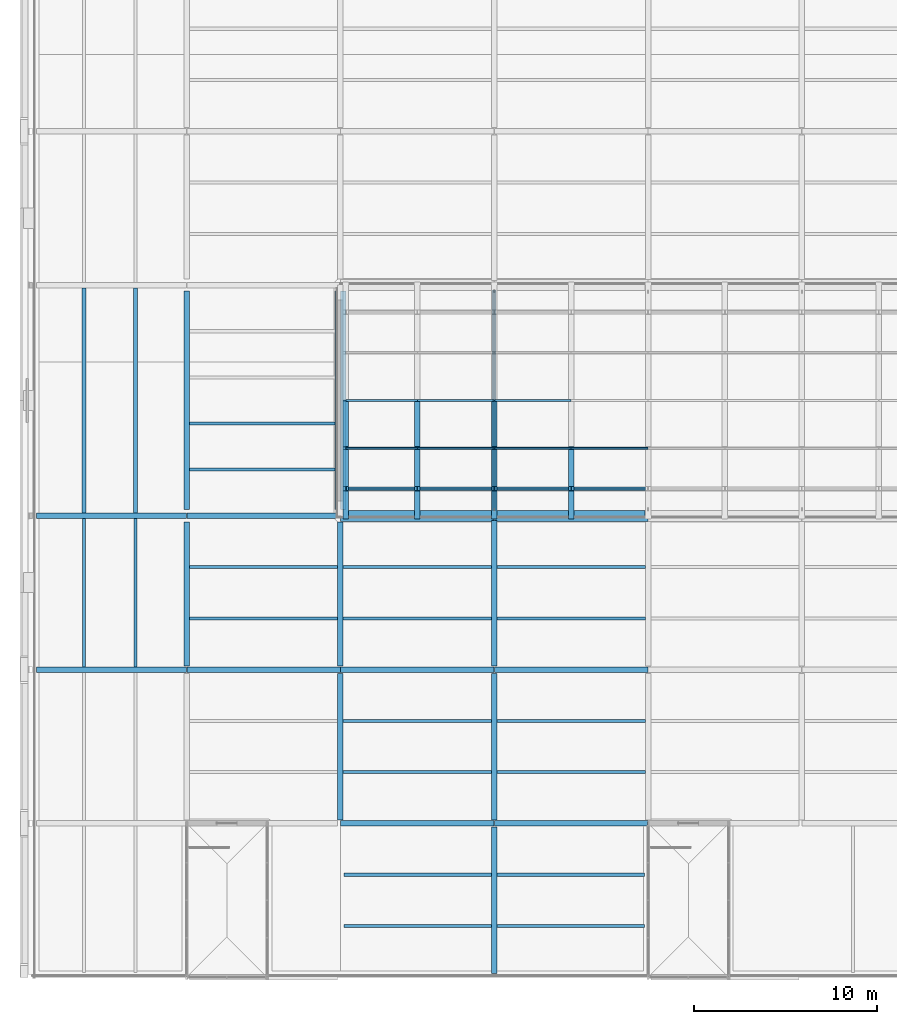
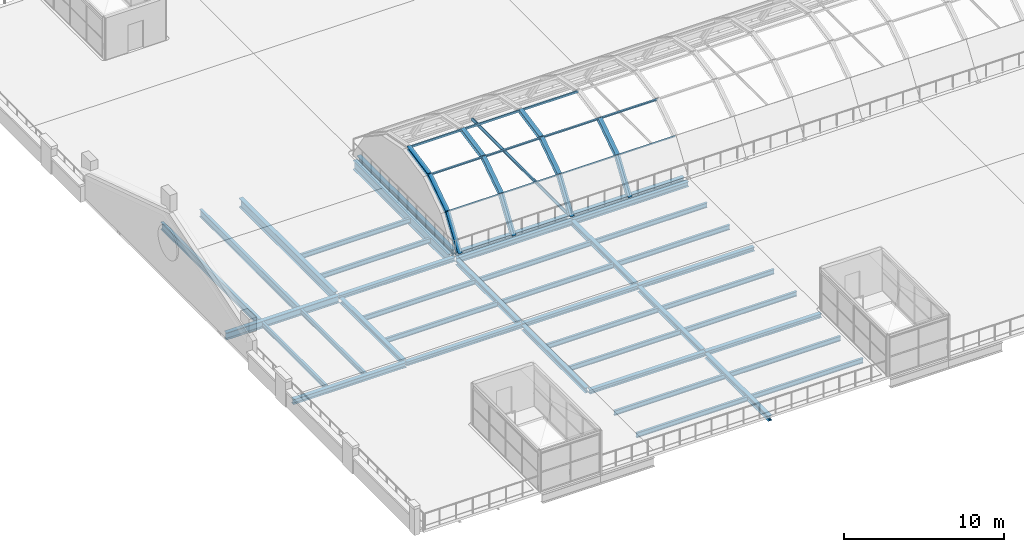
# One storey, part 12 of 58: 41 beams, 23 members.
"""IFC4 building model written with IfcOpenShell, lengths in metres."""

from ifc_helpers import new_model, si_unit, direction, frame, origin, origin_2d, place, context, subcontext, project, spatial, hollow_rectangle, hollow_circle, i_section, extrude, material, material_profile, profile_set, type_object, element, save


model = new_model("IFC4")

# Units and contexts
model_context = context("Model", 3, precision=1e-05, world=origin(), true_north=direction((0.0, 1.0)))
body_context = subcontext(model_context, "Body", "Model", "MODEL_VIEW")
ifc_project = project(units=[si_unit("LENGTHUNIT", "METRE"), si_unit("AREAUNIT", "SQUARE_METRE"), si_unit("VOLUMEUNIT", "CUBIC_METRE"), si_unit("PLANEANGLEUNIT", "RADIAN"), si_unit("MASSUNIT", "GRAM", prefix="KILO")], contexts=[model_context])

# Site, building, storey
site_placement = place(None, origin())
site = spatial("IfcSite", under=ifc_project, at=site_placement, CompositionType="ELEMENT")
building_placement = place(site_placement, origin())
building = spatial("IfcBuilding", under=site, at=building_placement, Name="Galleria Vessillo Department Store", CompositionType="ELEMENT")
storey_placement = place(building_placement, frame((0.0, 0.0, 31.199951171875)))
storey = spatial("IfcBuildingStorey", under=building, at=storey_placement, Name="L06", CompositionType="ELEMENT", Elevation=31.199951171875)

# Beams
ifc_material_1 = material(Name="Steel S355 J2", Category="steel")
ifc_material_profile_1 = material_profile(ifc_material_1, i_section(OverallWidth=0.300048828125, OverallDepth=0.389892578125, WebThickness=0.010986328125, FlangeThickness=0.01904296875, FilletRadius=0.027099609375, at=origin_2d()), Name="HEA 400")
ifc_profile_set_1 = profile_set([ifc_material_profile_1], Name="Steel S355 J2")
beam_type_1 = type_object("IfcBeamType", Name="Floor girder HEA 400", PredefinedType="BEAM", material=ifc_profile_set_1)
beam_1_placement = place(storey_placement, frame((0.2001953125, 16.800048828125, -0.39501953125), z_axis=(1.0, 0.0, 0.0), x_axis=(0.0, 1.0, 0.0)))
element("IfcBeam", 1, at=beam_1_placement, inside=storey, type_object=beam_type_1, Name="S-BM-L06-GI-x16800-200", PredefinedType="BEAM", context=body_context, shape_type="SweptSolid", body=[
    extrude(i_section(OverallWidth=0.300048828125, OverallDepth=0.389892578125, WebThickness=0.010986328125, FlangeThickness=0.01904296875, FilletRadius=0.027099609375, at=origin_2d()), origin(), (0.0, 0.0, 1.0), 8.19287109375),
])
beam_2_placement = place(storey_placement, frame((8.39990234375, 17.000244140625, -0.39501953125), z_axis=(0.0, 1.0, 0.0), x_axis=(-1.0, 0.0, 0.0)))
element("IfcBeam", 2, at=beam_2_placement, inside=storey, type_object=beam_type_1, Name="S-BM-L06-GI-y8400-17000", PredefinedType="BEAM", context=body_context, shape_type="SweptSolid", body=[
    extrude(i_section(OverallWidth=0.300048828125, OverallDepth=0.389892578125, WebThickness=0.010986328125, FlangeThickness=0.01904296875, FilletRadius=0.027099609375, at=origin_2d()), origin(), (0.0, 0.0, 1.0), 7.86572265625),
])
beam_3_placement = place(storey_placement, frame((16.800048828125, 8.60009765625, -0.39501953125), z_axis=(0.0, 1.0, 0.0), x_axis=(-1.0, 0.0, 0.0)))
element("IfcBeam", 3, at=beam_3_placement, inside=storey, type_object=beam_type_1, Name="S-BM-L06-GI-y16800-8600", PredefinedType="BEAM", context=body_context, shape_type="SweptSolid", body=[
    extrude(i_section(OverallWidth=0.300048828125, OverallDepth=0.389892578125, WebThickness=0.010986328125, FlangeThickness=0.01904296875, FilletRadius=0.027099609375, at=origin_2d()), origin(), (0.0, 0.0, 1.0), 7.999755859375),
])
beam_4_placement = place(storey_placement, frame((16.800048828125, 17.000244140625, -0.39501953125), z_axis=(0.0, 1.0, 0.0), x_axis=(-1.0, 0.0, 0.0)))
element("IfcBeam", 4, at=beam_4_placement, inside=storey, type_object=beam_type_1, Name="S-BM-L06-GI-y16800-17000", PredefinedType="BEAM", context=body_context, shape_type="SweptSolid", body=[
    extrude(i_section(OverallWidth=0.300048828125, OverallDepth=0.389892578125, WebThickness=0.010986328125, FlangeThickness=0.01904296875, FilletRadius=0.027099609375, at=origin_2d()), origin(), (0.0, 0.0, 1.0), 7.86572265625),
])
for number, where, z_axis, x_axis, name in (
    (5, (25.199951171875, 0.2001953125, -0.39501953125), (0.0, 1.0, 0.0), (-1.0, 0.0, 0.0), "S-BM-L06-GI-y25200-200"),
    (6, (25.199951171875, 8.60009765625, -0.39501953125), (0.0, 1.0, 0.0), (-1.0, 0.0, 0.0), "S-BM-L06-GI-y25200-8600"),
):
    element("IfcBeam", number, at=place(storey_placement, frame(where, z_axis=z_axis, x_axis=x_axis)), inside=storey, type_object=beam_type_1, Name=name, PredefinedType="BEAM", context=body_context, shape_type="SweptSolid", body=[
        extrude(i_section(OverallWidth=0.300048828125, OverallDepth=0.389892578125, WebThickness=0.010986328125, FlangeThickness=0.01904296875, FilletRadius=0.027099609375, at=origin_2d()), origin(), (0.0, 0.0, 1.0), 7.999755859375),
    ])
beam_5_placement = place(storey_placement, frame((25.199951171875, 17.000244140625, -0.39501953125), z_axis=(0.0, 1.0, 0.0), x_axis=(-1.0, 0.0, 0.0)))
element("IfcBeam", 7, at=beam_5_placement, inside=storey, type_object=beam_type_1, Name="S-BM-L06-GI-y25200-17000", PredefinedType="BEAM", context=body_context, shape_type="SweptSolid", body=[
    extrude(i_section(OverallWidth=0.300048828125, OverallDepth=0.389892578125, WebThickness=0.010986328125, FlangeThickness=0.01904296875, FilletRadius=0.027099609375, at=origin_2d()), origin(), (0.0, 0.0, 1.0), 7.937744140625),
])
ifc_material_2 = material(Name="Steel S355 J2", Category="steel")
ifc_material_profile_2 = material_profile(ifc_material_2, i_section(OverallWidth=0.300048828125, OverallDepth=0.5400390625, WebThickness=0.012451171875, FlangeThickness=0.02392578125, FilletRadius=0.027099609375, at=origin_2d()), Name="HEA 550")
ifc_profile_set_2 = profile_set([ifc_material_profile_2], Name="Steel S355 J2")
beam_type_2 = type_object("IfcBeamType", Name="Floor girder HEA 550", PredefinedType="BEAM", material=ifc_profile_set_2)
beam_6_placement = place(storey_placement, frame((0.2001953125, 25.199951171875, -0.469970703125), z_axis=(1.0, 0.0, 0.0), x_axis=(0.0, 1.0, 0.0)))
element("IfcBeam", 8, at=beam_6_placement, inside=storey, type_object=beam_type_2, Name="S-BM-L06-GI-x25200-200", PredefinedType="BEAM", context=body_context, shape_type="SweptSolid", body=[
    extrude(i_section(OverallWidth=0.300048828125, OverallDepth=0.5400390625, WebThickness=0.012451171875, FlangeThickness=0.02392578125, FilletRadius=0.027099609375, at=origin_2d()), origin(), (0.0, 0.0, 1.0), 8.189208984375),
])
ifc_material_3 = material(Name="Steel S355 J2", Category="steel")
ifc_material_profile_3 = material_profile(ifc_material_3, i_section(OverallWidth=0.300048828125, OverallDepth=0.68994140625, WebThickness=0.014404296875, FlangeThickness=0.027099609375, FilletRadius=0.027099609375, at=origin_2d()), Name="HEA 700")
ifc_profile_set_3 = profile_set([ifc_material_profile_3], Name="Steel S355 J2")
beam_type_3 = type_object("IfcBeamType", Name="Floor girder HEA 700", PredefinedType="BEAM", material=ifc_profile_set_3)
beam_7_placement = place(storey_placement, frame((8.39990234375, 25.5341796875, -0.544921875), z_axis=(0.0, 1.0, 0.0), x_axis=(-1.0, 0.0, 0.0)))
element("IfcBeam", 9, at=beam_7_placement, inside=storey, type_object=beam_type_3, Name="S-BM-L06-GI-y8400-25534", PredefinedType="BEAM", context=body_context, shape_type="SweptSolid", body=[
    extrude(i_section(OverallWidth=0.300048828125, OverallDepth=0.68994140625, WebThickness=0.014404296875, FlangeThickness=0.027099609375, FilletRadius=0.027099609375, at=origin_2d()), origin(), (0.0, 0.0, 1.0), 11.931640625),
])
ifc_material_4 = material(Name="Steel S355 J2", Category="steel")
ifc_material_profile_4 = material_profile(ifc_material_4, i_section(OverallWidth=0.169921875, OverallDepth=0.360107421875, WebThickness=0.008056640625, FlangeThickness=0.0126953125, FilletRadius=0.01806640625, at=origin_2d()), Name="IPE 360")
ifc_profile_set_4 = profile_set([ifc_material_profile_4], Name="Steel S355 J2")
beam_type_4 = type_object("IfcBeamType", Name="Floor joist IPE 360", PredefinedType="JOIST", material=ifc_profile_set_4)
for number, where, z_axis, x_axis, name in (
    (10, (2.800048828125, 16.9501953125, -0.3798828125), (0.0, 1.0, 0.0), (-1.0, 0.0, 0.0), "S-BM-L06-JO-y2800-16950"),
    (11, (5.60009765625, 16.9501953125, -0.3798828125), (0.0, 1.0, 0.0), (-1.0, 0.0, 0.0), "S-BM-L06-JO-y5600-16950"),
):
    element("IfcBeam", number, at=place(storey_placement, frame(where, z_axis=z_axis, x_axis=x_axis)), inside=storey, type_object=beam_type_4, Name=name, PredefinedType="JOIST", context=body_context, shape_type="SweptSolid", body=[
        extrude(i_section(OverallWidth=0.169921875, OverallDepth=0.360107421875, WebThickness=0.008056640625, FlangeThickness=0.0126953125, FilletRadius=0.01806640625, at=origin_2d()), origin(), (0.0, 0.0, 1.0), 8.099609375),
    ])
for number, where, z_axis, x_axis, name in (
    (12, (8.550048828125, 19.60009765625, -0.3798828125), (1.0, 0.0, 0.0), (0.0, 1.0, 0.0), "S-BM-L06-JO-x19600-8550"),
    (13, (8.550048828125, 22.39990234375, -0.3798828125), (1.0, 0.0, 0.0), (0.0, 1.0, 0.0), "S-BM-L06-JO-x22400-8550"),
):
    element("IfcBeam", number, at=place(storey_placement, frame(where, z_axis=z_axis, x_axis=x_axis)), inside=storey, type_object=beam_type_4, Name=name, PredefinedType="JOIST", context=body_context, shape_type="SweptSolid", body=[
        extrude(i_section(OverallWidth=0.169921875, OverallDepth=0.360107421875, WebThickness=0.008056640625, FlangeThickness=0.0126953125, FilletRadius=0.01806640625, at=origin_2d()), origin(), (0.0, 0.0, 1.0), 8.099853515625),
    ])
for number, where, z_axis, x_axis, name in (
    (14, (8.550048828125, 27.719970703125, -0.3798828125), (1.0, 0.0, 0.0), (0.0, 1.0, 0.0), "S-BM-L06-JO-x27720-8550"),
    (15, (8.550048828125, 30.239990234375, -0.3798828125), (1.0, 0.0, 0.0), (0.0, 1.0, 0.0), "S-BM-L06-JO-x30240-8550"),
):
    element("IfcBeam", number, at=place(storey_placement, frame(where, z_axis=z_axis, x_axis=x_axis)), inside=storey, type_object=beam_type_4, Name=name, PredefinedType="JOIST", context=body_context, shape_type="SweptSolid", body=[
        extrude(i_section(OverallWidth=0.169921875, OverallDepth=0.360107421875, WebThickness=0.008056640625, FlangeThickness=0.0126953125, FilletRadius=0.01806640625, at=origin_2d()), origin(), (0.0, 0.0, 1.0), 7.94970703125),
    ])
for number, where, z_axis, x_axis, name in (
    (16, (17.000244140625, 2.800048828125, -0.3798828125), (1.0, 0.0, 0.0), (0.0, 1.0, 0.0), "S-BM-L06-JO-x2800-17000"),
    (17, (17.000244140625, 5.60009765625, -0.3798828125), (1.0, 0.0, 0.0), (0.0, 1.0, 0.0), "S-BM-L06-JO-x5600-17000"),
):
    element("IfcBeam", number, at=place(storey_placement, frame(where, z_axis=z_axis, x_axis=x_axis)), inside=storey, type_object=beam_type_4, Name=name, PredefinedType="JOIST", context=body_context, shape_type="SweptSolid", body=[
        extrude(i_section(OverallWidth=0.169921875, OverallDepth=0.360107421875, WebThickness=0.008056640625, FlangeThickness=0.0126953125, FilletRadius=0.01806640625, at=origin_2d()), origin(), (0.0, 0.0, 1.0), 8.049560546875),
    ])
for number, where, z_axis, x_axis, name in (
    (18, (16.9501953125, 11.199951171875, -0.3798828125), (1.0, 0.0, 0.0), (0.0, 1.0, 0.0), "S-BM-L06-JO-x11200-16950"),
    (19, (16.9501953125, 14.0, -0.3798828125), (1.0, 0.0, 0.0), (0.0, 1.0, 0.0), "S-BM-L06-JO-x14000-16950"),
    (20, (16.9501953125, 19.60009765625, -0.3798828125), (1.0, 0.0, 0.0), (0.0, 1.0, 0.0), "S-BM-L06-JO-x19600-16950"),
    (21, (16.9501953125, 22.39990234375, -0.3798828125), (1.0, 0.0, 0.0), (0.0, 1.0, 0.0), "S-BM-L06-JO-x22400-16950"),
):
    element("IfcBeam", number, at=place(storey_placement, frame(where, z_axis=z_axis, x_axis=x_axis)), inside=storey, type_object=beam_type_4, Name=name, PredefinedType="JOIST", context=body_context, shape_type="SweptSolid", body=[
        extrude(i_section(OverallWidth=0.169921875, OverallDepth=0.360107421875, WebThickness=0.008056640625, FlangeThickness=0.0126953125, FilletRadius=0.01806640625, at=origin_2d()), origin(), (0.0, 0.0, 1.0), 8.099609375),
    ])
for number, where, z_axis, x_axis, name in (
    (22, (25.35009765625, 2.800048828125, -0.3798828125), (1.0, 0.0, 0.0), (0.0, 1.0, 0.0), "S-BM-L06-JO-x2800-25350"),
    (23, (25.35009765625, 5.60009765625, -0.3798828125), (1.0, 0.0, 0.0), (0.0, 1.0, 0.0), "S-BM-L06-JO-x5600-25350"),
):
    element("IfcBeam", number, at=place(storey_placement, frame(where, z_axis=z_axis, x_axis=x_axis)), inside=storey, type_object=beam_type_4, Name=name, PredefinedType="JOIST", context=body_context, shape_type="SweptSolid", body=[
        extrude(i_section(OverallWidth=0.169921875, OverallDepth=0.360107421875, WebThickness=0.008056640625, FlangeThickness=0.0126953125, FilletRadius=0.01806640625, at=origin_2d()), origin(), (0.0, 0.0, 1.0), 8.0498046875),
    ])
for number, where, z_axis, x_axis, name in (
    (24, (25.35009765625, 11.199951171875, -0.3798828125), (1.0, 0.0, 0.0), (0.0, 1.0, 0.0), "S-BM-L06-JO-x11200-25350"),
    (25, (25.35009765625, 14.0, -0.3798828125), (1.0, 0.0, 0.0), (0.0, 1.0, 0.0), "S-BM-L06-JO-x14000-25350"),
    (26, (25.35009765625, 19.60009765625, -0.3798828125), (1.0, 0.0, 0.0), (0.0, 1.0, 0.0), "S-BM-L06-JO-x19600-25350"),
    (27, (25.35009765625, 22.39990234375, -0.3798828125), (1.0, 0.0, 0.0), (0.0, 1.0, 0.0), "S-BM-L06-JO-x22400-25350"),
):
    element("IfcBeam", number, at=place(storey_placement, frame(where, z_axis=z_axis, x_axis=x_axis)), inside=storey, type_object=beam_type_4, Name=name, PredefinedType="JOIST", context=body_context, shape_type="SweptSolid", body=[
        extrude(i_section(OverallWidth=0.169921875, OverallDepth=0.360107421875, WebThickness=0.008056640625, FlangeThickness=0.0126953125, FilletRadius=0.01806640625, at=origin_2d()), origin(), (0.0, 0.0, 1.0), 8.099853515625),
    ])
ifc_material_5 = material(Name="Steel S355 J2", Category="steel")
ifc_material_profile_5 = material_profile(ifc_material_5, i_section(OverallWidth=0.2099609375, OverallDepth=0.550048828125, WebThickness=0.010986328125, FlangeThickness=0.01708984375, FilletRadius=0.02392578125, at=origin_2d()), Name="IPE 550")
ifc_profile_set_5 = profile_set([ifc_material_profile_5], Name="Steel S355 J2")
beam_type_5 = type_object("IfcBeamType", Name="Floor joist IPE 550", PredefinedType="JOIST", material=ifc_profile_set_5)
for number, where, z_axis, x_axis, name in (
    (28, (2.800048828125, 25.35009765625, -0.474853515625), (0.0, 1.0, 0.0), (-1.0, 0.0, 0.0), "S-BM-L06-JO-y2800-25350"),
    (29, (5.60009765625, 25.35009765625, -0.474853515625), (0.0, 1.0, 0.0), (-1.0, 0.0, 0.0), "S-BM-L06-JO-y5600-25350"),
):
    element("IfcBeam", number, at=place(storey_placement, frame(where, z_axis=z_axis, x_axis=x_axis)), inside=storey, type_object=beam_type_5, Name=name, PredefinedType="JOIST", context=body_context, shape_type="SweptSolid", body=[
        extrude(i_section(OverallWidth=0.2099609375, OverallDepth=0.550048828125, WebThickness=0.010986328125, FlangeThickness=0.01708984375, FilletRadius=0.02392578125, at=origin_2d()), origin(), (0.0, 0.0, 1.0), 12.2998046875),
    ])
ifc_material_6 = material(Name="Steel S355 J2", Category="steel")
ifc_material_profile_6 = material_profile(ifc_material_6, i_section(OverallWidth=0.300048828125, OverallDepth=0.31005859375, WebThickness=0.009033203125, FlangeThickness=0.015380859375, FilletRadius=0.027099609375, at=origin_2d()), Name="HEA 320")
ifc_profile_set_6 = profile_set([ifc_material_profile_6], Name="Steel S355 J2")
beam_type_6 = type_object("IfcBeamType", Name="Floor tie girder HEA 320", PredefinedType="BEAM", material=ifc_profile_set_6)
for number, where, z_axis, x_axis, name in (
    (30, (16.806884765625, 8.39990234375, -0.35498046875), (1.0, 0.0, 0.0), (0.0, 1.0, 0.0), "S-BM-L06-TI-x8400-16807"),
    (31, (25.206787109375, 8.39990234375, -0.35498046875), (1.0, 0.0, 0.0), (0.0, 1.0, 0.0), "S-BM-L06-TI-x8400-25207"),
    (32, (8.406982421875, 16.800048828125, -0.35498046875), (1.0, 0.0, 0.0), (0.0, 1.0, 0.0), "S-BM-L06-TI-x16800-8407"),
    (33, (16.806884765625, 16.800048828125, -0.35498046875), (1.0, 0.0, 0.0), (0.0, 1.0, 0.0), "S-BM-L06-TI-x16800-16807"),
    (34, (25.206787109375, 16.800048828125, -0.35498046875), (1.0, 0.0, 0.0), (0.0, 1.0, 0.0), "S-BM-L06-TI-x16800-25207"),
):
    element("IfcBeam", number, at=place(storey_placement, frame(where, z_axis=z_axis, x_axis=x_axis)), inside=storey, type_object=beam_type_6, Name=name, PredefinedType="BEAM", context=body_context, shape_type="SweptSolid", body=[
        extrude(i_section(OverallWidth=0.300048828125, OverallDepth=0.31005859375, WebThickness=0.009033203125, FlangeThickness=0.015380859375, FilletRadius=0.027099609375, at=origin_2d()), origin(), (0.0, 0.0, 1.0), 8.38623046875),
    ])
beam_8_placement = place(storey_placement, frame((8.41064453125, 25.199951171875, -0.35498046875), z_axis=(1.0, 0.0, 0.0), x_axis=(0.0, 1.0, 0.0)))
element("IfcBeam", 35, at=beam_8_placement, inside=storey, type_object=beam_type_6, Name="S-BM-L06-TI-x25200-8411", PredefinedType="BEAM", context=body_context, shape_type="SweptSolid", body=[
    extrude(i_section(OverallWidth=0.300048828125, OverallDepth=0.31005859375, WebThickness=0.009033203125, FlangeThickness=0.015380859375, FilletRadius=0.027099609375, at=origin_2d()), origin(), (0.0, 0.0, 1.0), 8.378662109375),
])
ifc_material_7 = material(Name="Steel S355 J2", Category="steel")
ifc_material_profile_7 = material_profile(ifc_material_7, i_section(OverallWidth=0.300048828125, OverallDepth=0.389892578125, WebThickness=0.010986328125, FlangeThickness=0.01904296875, FilletRadius=0.027099609375, at=origin_2d()), Name="HEA 400")
ifc_profile_set_7 = profile_set([ifc_material_profile_7], Name="Steel S355 J2")
beam_type_7 = type_object("IfcBeamType", Name="Trimmer beam HEA 400", PredefinedType="BEAM", material=ifc_profile_set_7)
beam_9_placement = place(storey_placement, frame((16.810546875, 25.050048828125, -0.39501953125), z_axis=(1.0, 0.0, 0.0), x_axis=(0.0, 1.0, 0.0)))
element("IfcBeam", 36, at=beam_9_placement, inside=storey, type_object=beam_type_7, Name="S-BM-L06-TR-x25050-16811", PredefinedType="BEAM", context=body_context, shape_type="SweptSolid", body=[
    extrude(i_section(OverallWidth=0.300048828125, OverallDepth=0.389892578125, WebThickness=0.010986328125, FlangeThickness=0.01904296875, FilletRadius=0.027099609375, at=origin_2d()), origin(), (0.0, 0.0, 1.0), 8.37890625),
])
beam_10_placement = place(storey_placement, frame((25.210693359375, 25.050048828125, -0.39501953125), z_axis=(1.0, 0.0, 0.0), x_axis=(0.0, 1.0, 0.0)))
element("IfcBeam", 37, at=beam_10_placement, inside=storey, type_object=beam_type_7, Name="S-BM-L06-TR-x25050-25211", PredefinedType="BEAM", context=body_context, shape_type="SweptSolid", body=[
    extrude(i_section(OverallWidth=0.300048828125, OverallDepth=0.389892578125, WebThickness=0.010986328125, FlangeThickness=0.01904296875, FilletRadius=0.027099609375, at=origin_2d()), origin(), (0.0, 0.0, 1.0), 8.378662109375),
])
ifc_material_8 = material(Name="Steel S355 J2", Category="steel")
ifc_material_profile_8 = material_profile(ifc_material_8, i_section(OverallWidth=0.300048828125, OverallDepth=0.68994140625, WebThickness=0.014404296875, FlangeThickness=0.027099609375, FilletRadius=0.027099609375, at=origin_2d()), Name="HEA 700")
ifc_profile_set_8 = profile_set([ifc_material_profile_8], Name="Steel S355 J2")
beam_type_8 = type_object("IfcBeamType", Name="Trimmer beam HEA 700", PredefinedType="BEAM", material=ifc_profile_set_8)
beam_11_placement = place(storey_placement, frame((16.64990234375, 25.5341796875, -0.544921875), z_axis=(0.0, 1.0, 0.0), x_axis=(-1.0, 0.0, 0.0)))
element("IfcBeam", 38, at=beam_11_placement, inside=storey, type_object=beam_type_8, Name="S-BM-L06-TR-y16650-25534", PredefinedType="BEAM", context=body_context, shape_type="SweptSolid", body=[
    extrude(i_section(OverallWidth=0.300048828125, OverallDepth=0.68994140625, WebThickness=0.014404296875, FlangeThickness=0.027099609375, FilletRadius=0.027099609375, at=origin_2d()), origin(), (0.0, 0.0, 1.0), 11.931640625),
])
ifc_material_9 = material(Name="Steel S355 J2", Category="steel")
ifc_material_profile_9 = material_profile(ifc_material_9, i_section(OverallWidth=0.300048828125, OverallDepth=0.39990234375, WebThickness=0.013427734375, FlangeThickness=0.02392578125, FilletRadius=0.027099609375, at=origin_2d()), Name="HEB 400")
ifc_profile_set_9 = profile_set([ifc_material_profile_9], Name="Steel S355 J2")
beam_type_9 = type_object("IfcBeamType", Name="Tympanum sill beam HEB 400", PredefinedType="BEAM", material=ifc_profile_set_9)
beam_12_placement = place(storey_placement, frame((16.949951171875, 25.5341796875, -0.14990234375), z_axis=(0.0, 1.0, 0.0), x_axis=(-1.0, 0.0, 0.0)))
element("IfcBeam", 39, at=beam_12_placement, inside=storey, type_object=beam_type_9, Name="S-TS-W", PredefinedType="BEAM", context=body_context, shape_type="SweptSolid", body=[
    extrude(i_section(OverallWidth=0.300048828125, OverallDepth=0.39990234375, WebThickness=0.013427734375, FlangeThickness=0.02392578125, FilletRadius=0.027099609375, at=origin_2d()), origin(), (0.0, 0.0, 1.0), 11.931640625),
])

# Members
ifc_material_10 = material(Name="Steel S355 J2", Category="steel")
ifc_material_profile_10 = material_profile(ifc_material_10, hollow_rectangle(XDim=0.10009765625, YDim=0.14990234375, WallThickness=0.008056640625, at=origin_2d()), Name="RHS 150x100x8")
ifc_profile_set_10 = profile_set([ifc_material_profile_10], Name="Steel S355 J2")
member_type_1 = type_object("IfcMemberType", Name="Vault purlin RHS 150x100x8", PredefinedType="PURLIN", material=ifc_profile_set_10)
member_1_placement = place(storey_placement, frame((17.104248046875, 26.6806640625, 2.207763671875), z_axis=(1.0, 0.0, 0.0), x_axis=(0.0, 0.708077368705, 0.70613485959)))
element("IfcMember", 40, at=member_1_placement, inside=storey, type_object=member_type_1, Name="S-VP-1-01", PredefinedType="PURLIN", context=body_context, shape_type="SweptSolid", body=[
    extrude(hollow_rectangle(XDim=0.10009765625, YDim=0.14990234375, WallThickness=0.008056640625, at=origin_2d()), origin(), (0.0, 0.0, 1.0), 3.8916015625),
])
for number, where, z_axis, x_axis, name in (
    (41, (21.004150390625, 26.6806640625, 2.207763671875), (1.0, 0.0, 0.0), (0.0, 0.708077368705, 0.70613485959), "S-VP-1-02"),
    (42, (25.2041015625, 26.6806640625, 2.207763671875), (1.0, 0.0, 0.0), (0.0, 0.708077368705, 0.70613485959), "S-VP-1-03"),
):
    element("IfcMember", number, at=place(storey_placement, frame(where, z_axis=z_axis, x_axis=x_axis)), inside=storey, type_object=member_type_1, Name=name, PredefinedType="PURLIN", context=body_context, shape_type="SweptSolid", body=[
        extrude(hollow_rectangle(XDim=0.10009765625, YDim=0.14990234375, WallThickness=0.008056640625, at=origin_2d()), origin(), (0.0, 0.0, 1.0), 4.191650390625),
    ])
member_2_placement = place(storey_placement, frame((29.404052734375, 26.6806640625, 2.207763671875), z_axis=(1.0, 0.0, 0.0), x_axis=(0.0, 0.708077368705, 0.70613485959)))
element("IfcMember", 43, at=member_2_placement, inside=storey, type_object=member_type_1, Name="S-VP-1-04", PredefinedType="PURLIN", context=body_context, shape_type="SweptSolid", body=[
    extrude(hollow_rectangle(XDim=0.10009765625, YDim=0.14990234375, WallThickness=0.008056640625, at=origin_2d()), origin(), (0.0, 0.0, 1.0), 4.19189453125),
])
member_3_placement = place(storey_placement, frame((17.104248046875, 28.892578125, 3.682373046875), z_axis=(1.0, 0.0, 0.0), x_axis=(0.0, 0.924144726715, 0.38204256842)))
element("IfcMember", 44, at=member_3_placement, inside=storey, type_object=member_type_1, Name="S-VP-2-01", PredefinedType="PURLIN", context=body_context, shape_type="SweptSolid", body=[
    extrude(hollow_rectangle(XDim=0.10009765625, YDim=0.14990234375, WallThickness=0.008056640625, at=origin_2d()), origin(), (0.0, 0.0, 1.0), 3.8916015625),
])
for number, where, z_axis, x_axis, name in (
    (45, (21.004150390625, 28.892578125, 3.682373046875), (1.0, 0.0, 0.0), (0.0, 0.924144726715, 0.38204256842), "S-VP-2-02"),
    (46, (25.2041015625, 28.892578125, 3.682373046875), (1.0, 0.0, 0.0), (0.0, 0.924144726715, 0.38204256842), "S-VP-2-03"),
):
    element("IfcMember", number, at=place(storey_placement, frame(where, z_axis=z_axis, x_axis=x_axis)), inside=storey, type_object=member_type_1, Name=name, PredefinedType="PURLIN", context=body_context, shape_type="SweptSolid", body=[
        extrude(hollow_rectangle(XDim=0.10009765625, YDim=0.14990234375, WallThickness=0.008056640625, at=origin_2d()), origin(), (0.0, 0.0, 1.0), 4.191650390625),
    ])
member_4_placement = place(storey_placement, frame((29.404052734375, 28.892578125, 3.682373046875), z_axis=(1.0, 0.0, 0.0), x_axis=(0.0, 0.924144726715, 0.38204256842)))
element("IfcMember", 47, at=member_4_placement, inside=storey, type_object=member_type_1, Name="S-VP-2-04", PredefinedType="PURLIN", context=body_context, shape_type="SweptSolid", body=[
    extrude(hollow_rectangle(XDim=0.10009765625, YDim=0.14990234375, WallThickness=0.008056640625, at=origin_2d()), origin(), (0.0, 0.0, 1.0), 4.19189453125),
])
member_5_placement = place(storey_placement, frame((17.104248046875, 31.5, 4.199951171875), z_axis=(1.0, 0.0, 0.0), x_axis=(0.0, 1.0, 0.0)))
element("IfcMember", 48, at=member_5_placement, inside=storey, type_object=member_type_1, Name="S-VP-3-01", PredefinedType="PURLIN", context=body_context, shape_type="SweptSolid", body=[
    extrude(hollow_rectangle(XDim=0.10009765625, YDim=0.14990234375, WallThickness=0.008056640625, at=origin_2d()), origin(), (0.0, 0.0, 1.0), 3.8916015625),
])
for number, where, z_axis, x_axis, name in (
    (49, (21.004150390625, 31.5, 4.199951171875), (1.0, 0.0, 0.0), (0.0, 1.0, 0.0), "S-VP-3-02"),
    (50, (25.2041015625, 31.5, 4.199951171875), (1.0, 0.0, 0.0), (0.0, 1.0, 0.0), "S-VP-3-03"),
):
    element("IfcMember", number, at=place(storey_placement, frame(where, z_axis=z_axis, x_axis=x_axis)), inside=storey, type_object=member_type_1, Name=name, PredefinedType="PURLIN", context=body_context, shape_type="SweptSolid", body=[
        extrude(hollow_rectangle(XDim=0.10009765625, YDim=0.14990234375, WallThickness=0.008056640625, at=origin_2d()), origin(), (0.0, 0.0, 1.0), 4.191650390625),
    ])
ifc_material_11 = material(Name="Steel S355 J2", Category="steel")
ifc_material_profile_11 = material_profile(ifc_material_11, i_section(OverallWidth=0.300048828125, OverallDepth=0.2900390625, WebThickness=0.008544921875, FlangeThickness=0.013916015625, FilletRadius=0.027099609375, at=origin_2d()), Name="HEA 300")
ifc_profile_set_11 = profile_set([ifc_material_profile_11], Name="Steel S355 J2")
member_type_2 = type_object("IfcMemberType", Name="Vault rib HEA 300", PredefinedType="RAFTER", material=ifc_profile_set_11)
member_6_placement = place(storey_placement, frame((17.10009765625, 25.145751953125, -0.080810546875), z_axis=(0.0, 0.557008391095, 0.830506864661), x_axis=(-1.0, 0.0, 0.0)))
element("IfcMember", 51, at=member_6_placement, inside=storey, type_object=member_type_2, Name="S-VR-01-1", PredefinedType="RAFTER", context=body_context, shape_type="SweptSolid", body=[
    extrude(i_section(OverallWidth=0.300048828125, OverallDepth=0.2900390625, WebThickness=0.008544921875, FlangeThickness=0.013916015625, FilletRadius=0.027099609375, at=origin_2d()), origin(), (0.0, 0.0, 1.0), 2.755615234375),
])
member_7_placement = place(storey_placement, frame((17.10009765625, 26.6806640625, 2.207763671875), z_axis=(0.0, 0.832050294338, 0.554700196225), x_axis=(-1.0, 0.0, 0.0)))
element("IfcMember", 52, at=member_7_placement, inside=storey, type_object=member_type_2, Name="S-VR-01-2", PredefinedType="RAFTER", context=body_context, shape_type="SweptSolid", body=[
    extrude(i_section(OverallWidth=0.300048828125, OverallDepth=0.2900390625, WebThickness=0.008544921875, FlangeThickness=0.013916015625, FilletRadius=0.027099609375, at=origin_2d()), origin(), (0.0, 0.0, 1.0), 2.658447265625),
])
member_8_placement = place(storey_placement, frame((17.10009765625, 28.892578125, 3.682373046875), z_axis=(0.0, 0.980862245521, 0.194702992557), x_axis=(-1.0, 0.0, 0.0)))
element("IfcMember", 53, at=member_8_placement, inside=storey, type_object=member_type_2, Name="S-VR-01-3", PredefinedType="RAFTER", context=body_context, shape_type="SweptSolid", body=[
    extrude(i_section(OverallWidth=0.300048828125, OverallDepth=0.2900390625, WebThickness=0.008544921875, FlangeThickness=0.013916015625, FilletRadius=0.027099609375, at=origin_2d()), origin(), (0.0, 0.0, 1.0), 2.658203125),
])
member_9_placement = place(storey_placement, frame((21.0, 25.145751953125, -0.080810546875), z_axis=(0.0, 0.557008391095, 0.830506864661), x_axis=(-1.0, 0.0, 0.0)))
element("IfcMember", 54, at=member_9_placement, inside=storey, type_object=member_type_2, Name="S-VR-02-1", PredefinedType="RAFTER", context=body_context, shape_type="SweptSolid", body=[
    extrude(i_section(OverallWidth=0.300048828125, OverallDepth=0.2900390625, WebThickness=0.008544921875, FlangeThickness=0.013916015625, FilletRadius=0.027099609375, at=origin_2d()), origin(), (0.0, 0.0, 1.0), 2.755615234375),
])
member_10_placement = place(storey_placement, frame((21.0, 26.6806640625, 2.207763671875), z_axis=(0.0, 0.832050294338, 0.554700196225), x_axis=(-1.0, 0.0, 0.0)))
element("IfcMember", 55, at=member_10_placement, inside=storey, type_object=member_type_2, Name="S-VR-02-2", PredefinedType="RAFTER", context=body_context, shape_type="SweptSolid", body=[
    extrude(i_section(OverallWidth=0.300048828125, OverallDepth=0.2900390625, WebThickness=0.008544921875, FlangeThickness=0.013916015625, FilletRadius=0.027099609375, at=origin_2d()), origin(), (0.0, 0.0, 1.0), 2.658447265625),
])
member_11_placement = place(storey_placement, frame((21.0, 28.892578125, 3.682373046875), z_axis=(0.0, 0.980862245521, 0.194702992557), x_axis=(-1.0, 0.0, 0.0)))
element("IfcMember", 56, at=member_11_placement, inside=storey, type_object=member_type_2, Name="S-VR-02-3", PredefinedType="RAFTER", context=body_context, shape_type="SweptSolid", body=[
    extrude(i_section(OverallWidth=0.300048828125, OverallDepth=0.2900390625, WebThickness=0.008544921875, FlangeThickness=0.013916015625, FilletRadius=0.027099609375, at=origin_2d()), origin(), (0.0, 0.0, 1.0), 2.658203125),
])
member_12_placement = place(storey_placement, frame((25.199951171875, 25.145751953125, -0.080810546875), z_axis=(0.0, 0.557008391095, 0.830506864661), x_axis=(-1.0, 0.0, 0.0)))
element("IfcMember", 57, at=member_12_placement, inside=storey, type_object=member_type_2, Name="S-VR-03-1", PredefinedType="RAFTER", context=body_context, shape_type="SweptSolid", body=[
    extrude(i_section(OverallWidth=0.300048828125, OverallDepth=0.2900390625, WebThickness=0.008544921875, FlangeThickness=0.013916015625, FilletRadius=0.027099609375, at=origin_2d()), origin(), (0.0, 0.0, 1.0), 2.755615234375),
])
member_13_placement = place(storey_placement, frame((25.199951171875, 26.6806640625, 2.207763671875), z_axis=(0.0, 0.832050294338, 0.554700196225), x_axis=(-1.0, 0.0, 0.0)))
element("IfcMember", 58, at=member_13_placement, inside=storey, type_object=member_type_2, Name="S-VR-03-2", PredefinedType="RAFTER", context=body_context, shape_type="SweptSolid", body=[
    extrude(i_section(OverallWidth=0.300048828125, OverallDepth=0.2900390625, WebThickness=0.008544921875, FlangeThickness=0.013916015625, FilletRadius=0.027099609375, at=origin_2d()), origin(), (0.0, 0.0, 1.0), 2.658447265625),
])
member_14_placement = place(storey_placement, frame((25.199951171875, 28.892578125, 3.682373046875), z_axis=(0.0, 0.980862245521, 0.194702992557), x_axis=(-1.0, 0.0, 0.0)))
element("IfcMember", 59, at=member_14_placement, inside=storey, type_object=member_type_2, Name="S-VR-03-3", PredefinedType="RAFTER", context=body_context, shape_type="SweptSolid", body=[
    extrude(i_section(OverallWidth=0.300048828125, OverallDepth=0.2900390625, WebThickness=0.008544921875, FlangeThickness=0.013916015625, FilletRadius=0.027099609375, at=origin_2d()), origin(), (0.0, 0.0, 1.0), 2.658203125),
])
member_15_placement = place(storey_placement, frame((29.39990234375, 25.145751953125, -0.080810546875), z_axis=(0.0, 0.557008391095, 0.830506864661), x_axis=(-1.0, 0.0, 0.0)))
element("IfcMember", 60, at=member_15_placement, inside=storey, type_object=member_type_2, Name="S-VR-04-1", PredefinedType="RAFTER", context=body_context, shape_type="SweptSolid", body=[
    extrude(i_section(OverallWidth=0.300048828125, OverallDepth=0.2900390625, WebThickness=0.008544921875, FlangeThickness=0.013916015625, FilletRadius=0.027099609375, at=origin_2d()), origin(), (0.0, 0.0, 1.0), 2.755615234375),
])
member_16_placement = place(storey_placement, frame((29.39990234375, 26.6806640625, 2.207763671875), z_axis=(0.0, 0.832050294338, 0.554700196225), x_axis=(-1.0, 0.0, 0.0)))
element("IfcMember", 61, at=member_16_placement, inside=storey, type_object=member_type_2, Name="S-VR-04-2", PredefinedType="RAFTER", context=body_context, shape_type="SweptSolid", body=[
    extrude(i_section(OverallWidth=0.300048828125, OverallDepth=0.2900390625, WebThickness=0.008544921875, FlangeThickness=0.013916015625, FilletRadius=0.027099609375, at=origin_2d()), origin(), (0.0, 0.0, 1.0), 2.658447265625),
])

# Beams
ifc_material_12 = material(Name="Steel S355 J2", Category="steel")
ifc_material_profile_12 = material_profile(ifc_material_12, i_section(OverallWidth=0.300048828125, OverallDepth=0.300048828125, WebThickness=0.010986328125, FlangeThickness=0.01904296875, FilletRadius=0.027099609375, at=origin_2d()), Name="HEB 300")
ifc_profile_set_12 = profile_set([ifc_material_profile_12], Name="Steel S355 J2")
beam_type_10 = type_object("IfcBeamType", Name="Vault springer beam HEB 300", PredefinedType="BEAM", material=ifc_profile_set_12)
for number, where, z_axis, x_axis, name in (
    (62, (16.95263671875, 25.35009765625, -0.14990234375), (1.0, 0.0, 0.0), (0.0, 1.0, 0.0), "S-VS-S-01"),
    (63, (25.35302734375, 25.35009765625, -0.14990234375), (1.0, 0.0, 0.0), (0.0, 1.0, 0.0), "S-VS-S-02"),
):
    element("IfcBeam", number, at=place(storey_placement, frame(where, z_axis=z_axis, x_axis=x_axis)), inside=storey, type_object=beam_type_10, Name=name, PredefinedType="BEAM", context=body_context, shape_type="SweptSolid", body=[
        extrude(i_section(OverallWidth=0.300048828125, OverallDepth=0.300048828125, WebThickness=0.010986328125, FlangeThickness=0.01904296875, FilletRadius=0.027099609375, at=origin_2d()), origin(), (0.0, 0.0, 1.0), 8.09423828125),
    ])

# Member
ifc_material_13 = material(Name="Steel S355 J2", Category="steel")
ifc_material_profile_13 = material_profile(ifc_material_13, hollow_circle(Radius=0.109619140625, WallThickness=0.010009765625, at=origin_2d()), Name="CHS 219.1x10")
ifc_profile_set_13 = profile_set([ifc_material_profile_13], Name="Steel S355 J2")
member_type_3 = type_object("IfcMemberType", Name="Vault tie rod CHS 219.1x10", PredefinedType="BRACE", material=ifc_profile_set_13)
member_17_placement = place(storey_placement, frame((25.199951171875, 25.462158203125, -0.14990234375), z_axis=(0.0, 1.0, 0.0), x_axis=(-1.0, 0.0, 0.0)))
element("IfcMember", 64, at=member_17_placement, inside=storey, type_object=member_type_3, Name="S-VT-0252", PredefinedType="BRACE", context=body_context, shape_type="SweptSolid", body=[
    extrude(hollow_circle(Radius=0.109619140625, WallThickness=0.010009765625, at=origin_2d()), origin(), (0.0, 0.0, 1.0), 12.07568359375),
])

save(model, "model.ifc")
